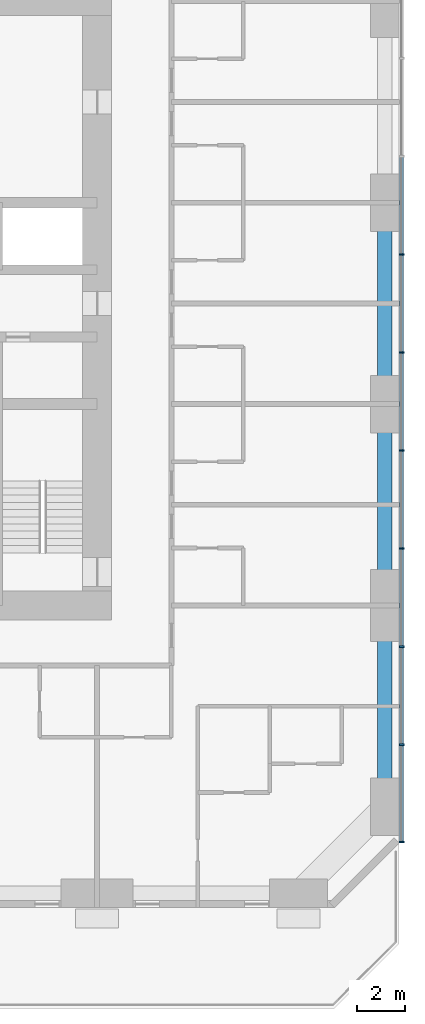
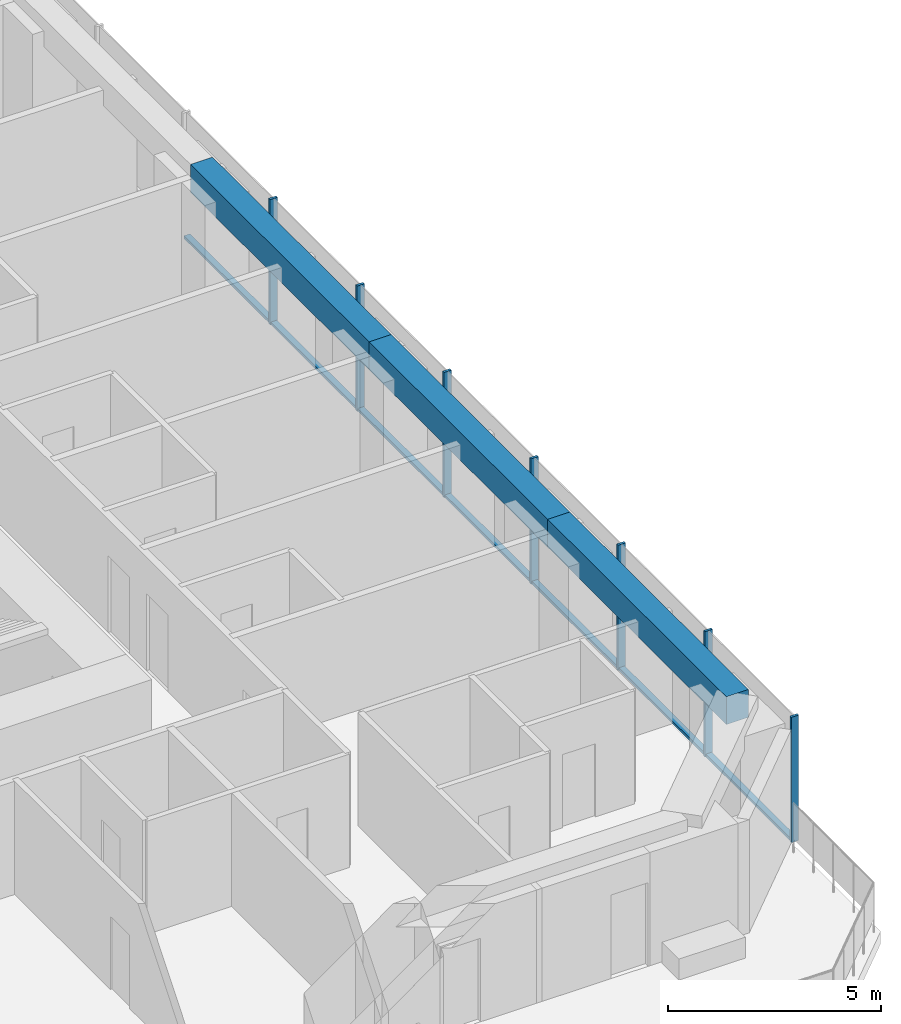
# One storey, part 2 of 14: 14 members, 3 beams, 1 element without a shape of its own.
"""IFC4 building model written with IfcOpenShell, lengths in metres."""

from ifc_helpers import new_model, si_unit, direction, frame, origin, origin_2d, place, context, subcontext, project, spatial, rectangle, extrude, material, material_profile, profile_set, type_object, element, aggregate, save


model = new_model("IFC4")

# Units and contexts
model_context = context("Model", 3, precision=1e-05, world=origin(), true_north=direction((0.0, 1.0)))
body_context = subcontext(model_context, "Body", "Model", "MODEL_VIEW")
ifc_project = project(units=[si_unit("LENGTHUNIT", "METRE"), si_unit("AREAUNIT", "SQUARE_METRE"), si_unit("VOLUMEUNIT", "CUBIC_METRE"), si_unit("PLANEANGLEUNIT", "RADIAN"), si_unit("MASSUNIT", "GRAM", prefix="KILO")], contexts=[model_context])

# Site, building, storey
site_placement = place(None, origin())
site = spatial("IfcSite", under=ifc_project, at=site_placement, CompositionType="ELEMENT")
building_placement = place(site_placement, origin())
building = spatial("IfcBuilding", under=site, at=building_placement, Name="Dunama Terrace Hotel", CompositionType="ELEMENT")
storey_placement = place(building_placement, frame((0.0, 0.0, 159.0)))
storey = spatial("IfcBuildingStorey", under=building, at=storey_placement, Name="L40", CompositionType="ELEMENT", Elevation=159.0)

# Curtain wall, members
ifc_material_1 = material(Name="Aluminium curtain wall system", Category="aluminium")
curtain_wall_type = type_object("IfcCurtainWallType", Name="Unitised fritted glass wall CW-C", PredefinedType="NOTDEFINED", material=ifc_material_1)
curtain_wall_placement = place(storey_placement, origin())
curtain_wall = element("IfcCurtainWall", 1, at=curtain_wall_placement, inside=storey, type_object=curtain_wall_type, Name="Unitised fritted glass wall CW-C L40", PredefinedType="NOTDEFINED")
ifc_material_2 = material(Name="Aluminium mullion", Category="aluminium")
ifc_material_profile_1 = material_profile(ifc_material_2, rectangle(XDim=0.070068359375, YDim=0.199951171875, at=origin_2d()), Name="CWC MULLION 70X200")
ifc_profile_set_1 = profile_set([ifc_material_profile_1], Name="Aluminium mullion")
member_type_1 = type_object("IfcMemberType", Name="CWC mullion 70x200", PredefinedType="MULLION", material=ifc_profile_set_1)
member_1_placement = place(storey_placement, frame((54.699951171875, 6.93505859375, 0.0), z_axis=(0.0, 0.0, 1.0), x_axis=(0.0, 1.0, 0.0)))
member_1 = element("IfcMember", 2, at=member_1_placement, type_object=member_type_1, Name="CWC mullion", PredefinedType="MULLION", context=body_context, shape_type="SweptSolid", body=[
    extrude(rectangle(XDim=0.070068359375, YDim=0.199951171875, at=origin_2d()), origin(), (0.0, 0.0, 1.0), 3.60009765625),
])
member_2_placement = place(storey_placement, frame((54.699951171875, 10.990966796875, 0.0), z_axis=(0.0, 0.0, 1.0), x_axis=(0.0, 1.0, 0.0)))
member_2 = element("IfcMember", 3, at=member_2_placement, type_object=member_type_1, Name="CWC mullion", PredefinedType="MULLION", context=body_context, shape_type="SweptSolid", body=[
    extrude(rectangle(XDim=0.070068359375, YDim=0.199951171875, at=origin_2d()), origin(), (0.0, 0.0, 1.0), 3.60009765625),
])
member_3_placement = place(storey_placement, frame((54.699951171875, 15.08203125, 0.0), z_axis=(0.0, 0.0, 1.0), x_axis=(0.0, 1.0, 0.0)))
member_3 = element("IfcMember", 4, at=member_3_placement, type_object=member_type_1, Name="CWC mullion", PredefinedType="MULLION", context=body_context, shape_type="SweptSolid", body=[
    extrude(rectangle(XDim=0.070068359375, YDim=0.199951171875, at=origin_2d()), origin(), (0.0, 0.0, 1.0), 3.60009765625),
])
member_4_placement = place(storey_placement, frame((54.699951171875, 19.173095703125, 0.0), z_axis=(0.0, 0.0, 1.0), x_axis=(0.0, 1.0, 0.0)))
member_4 = element("IfcMember", 5, at=member_4_placement, type_object=member_type_1, Name="CWC mullion", PredefinedType="MULLION", context=body_context, shape_type="SweptSolid", body=[
    extrude(rectangle(XDim=0.070068359375, YDim=0.199951171875, at=origin_2d()), origin(), (0.0, 0.0, 1.0), 3.60009765625),
])
member_5_placement = place(storey_placement, frame((54.699951171875, 23.263916015625, 0.0), z_axis=(0.0, 0.0, 1.0), x_axis=(0.0, 1.0, 0.0)))
member_5 = element("IfcMember", 6, at=member_5_placement, type_object=member_type_1, Name="CWC mullion", PredefinedType="MULLION", context=body_context, shape_type="SweptSolid", body=[
    extrude(rectangle(XDim=0.070068359375, YDim=0.199951171875, at=origin_2d()), origin(), (0.0, 0.0, 1.0), 3.60009765625),
])
member_6_placement = place(storey_placement, frame((54.699951171875, 27.35498046875, 0.0), z_axis=(0.0, 0.0, 1.0), x_axis=(0.0, 1.0, 0.0)))
member_6 = element("IfcMember", 7, at=member_6_placement, type_object=member_type_1, Name="CWC mullion", PredefinedType="MULLION", context=body_context, shape_type="SweptSolid", body=[
    extrude(rectangle(XDim=0.070068359375, YDim=0.199951171875, at=origin_2d()), origin(), (0.0, 0.0, 1.0), 3.60009765625),
])
member_7_placement = place(storey_placement, frame((54.699951171875, 31.445068359375, 0.0), z_axis=(0.0, 0.0, 1.0), x_axis=(0.0, 1.0, 0.0)))
member_7 = element("IfcMember", 8, at=member_7_placement, type_object=member_type_1, Name="CWC mullion", PredefinedType="MULLION", context=body_context, shape_type="SweptSolid", body=[
    extrude(rectangle(XDim=0.070068359375, YDim=0.199951171875, at=origin_2d()), origin(), (0.0, 0.0, 1.0), 3.60009765625),
])
ifc_material_3 = material(Name="Aluminium transom", Category="aluminium")
ifc_material_profile_2 = material_profile(ifc_material_3, rectangle(XDim=0.159912109375, YDim=0.080078125, at=origin_2d()), Name="CWC TRANSOM 160X80")
ifc_profile_set_2 = profile_set([ifc_material_profile_2], Name="Aluminium transom")
member_type_2 = type_object("IfcMemberType", Name="CWC transom 160x80", PredefinedType="USERDEFINED", material=ifc_profile_set_2)
member_8_placement = place(storey_placement, frame((54.699951171875, 6.969970703125, 0.0400390625), z_axis=(0.0, 1.0, 0.0), x_axis=(-1.0, 0.0, 0.0)))
member_8 = element("IfcMember", 9, at=member_8_placement, type_object=member_type_2, Name="CWC transom", ObjectType="TRANSOM", PredefinedType="USERDEFINED", context=body_context, shape_type="SweptSolid", body=[
    extrude(rectangle(XDim=0.159912109375, YDim=0.080078125, at=origin_2d()), origin(), (0.0, 0.0, 1.0), 3.986083984375),
])
member_9_placement = place(storey_placement, frame((54.699951171875, 11.02587890625, 0.0400390625), z_axis=(0.0, 1.0, 0.0), x_axis=(-1.0, 0.0, 0.0)))
member_9 = element("IfcMember", 10, at=member_9_placement, type_object=member_type_2, Name="CWC transom", ObjectType="TRANSOM", PredefinedType="USERDEFINED", context=body_context, shape_type="SweptSolid", body=[
    extrude(rectangle(XDim=0.159912109375, YDim=0.080078125, at=origin_2d()), origin(), (0.0, 0.0, 1.0), 4.021240234375),
])
member_10_placement = place(storey_placement, frame((54.699951171875, 15.116943359375, 0.0400390625), z_axis=(0.0, 1.0, 0.0), x_axis=(-1.0, 0.0, 0.0)))
member_10 = element("IfcMember", 11, at=member_10_placement, type_object=member_type_2, Name="CWC transom", ObjectType="TRANSOM", PredefinedType="USERDEFINED", context=body_context, shape_type="SweptSolid", body=[
    extrude(rectangle(XDim=0.159912109375, YDim=0.080078125, at=origin_2d()), origin(), (0.0, 0.0, 1.0), 4.02099609375),
])
member_11_placement = place(storey_placement, frame((54.699951171875, 19.2080078125, 0.0400390625), z_axis=(0.0, 1.0, 0.0), x_axis=(-1.0, 0.0, 0.0)))
member_11 = element("IfcMember", 12, at=member_11_placement, type_object=member_type_2, Name="CWC transom", ObjectType="TRANSOM", PredefinedType="USERDEFINED", context=body_context, shape_type="SweptSolid", body=[
    extrude(rectangle(XDim=0.159912109375, YDim=0.080078125, at=origin_2d()), origin(), (0.0, 0.0, 1.0), 4.02099609375),
])
member_12_placement = place(storey_placement, frame((54.699951171875, 23.299072265625, 0.0400390625), z_axis=(0.0, 1.0, 0.0), x_axis=(-1.0, 0.0, 0.0)))
member_12 = element("IfcMember", 13, at=member_12_placement, type_object=member_type_2, Name="CWC transom", ObjectType="TRANSOM", PredefinedType="USERDEFINED", context=body_context, shape_type="SweptSolid", body=[
    extrude(rectangle(XDim=0.159912109375, YDim=0.080078125, at=origin_2d()), origin(), (0.0, 0.0, 1.0), 4.02099609375),
])
member_13_placement = place(storey_placement, frame((54.699951171875, 27.389892578125, 0.0400390625), z_axis=(0.0, 1.0, 0.0), x_axis=(-1.0, 0.0, 0.0)))
member_13 = element("IfcMember", 14, at=member_13_placement, type_object=member_type_2, Name="CWC transom", ObjectType="TRANSOM", PredefinedType="USERDEFINED", context=body_context, shape_type="SweptSolid", body=[
    extrude(rectangle(XDim=0.159912109375, YDim=0.080078125, at=origin_2d()), origin(), (0.0, 0.0, 1.0), 4.02001953125),
])
member_14_placement = place(storey_placement, frame((54.699951171875, 31.47998046875, 0.0400390625), z_axis=(0.0, 1.0, 0.0), x_axis=(-1.0, 0.0, 0.0)))
member_14 = element("IfcMember", 15, at=member_14_placement, type_object=member_type_2, Name="CWC transom", ObjectType="TRANSOM", PredefinedType="USERDEFINED", context=body_context, shape_type="SweptSolid", body=[
    extrude(rectangle(XDim=0.159912109375, YDim=0.080078125, at=origin_2d()), origin(), (0.0, 0.0, 1.0), 4.02099609375),
])
aggregate(curtain_wall, [member_1, member_2, member_3, member_4, member_5, member_6, member_7, member_8, member_9, member_10, member_11, member_12, member_13, member_14])

# Beams
ifc_material_4 = material(Name="Concrete C40/50", Category="concrete")
ifc_material_profile_3 = material_profile(ifc_material_4, rectangle(XDim=0.60009765625, YDim=0.800048828125, at=origin_2d()), Name="RC 600x800")
ifc_profile_set_3 = profile_set([ifc_material_profile_3], Name="Concrete C40/50")
beam_type = type_object("IfcBeamType", Name="Edge beam RC 600x800", PredefinedType="SPANDREL", material=ifc_profile_set_3)
beam_1_placement = place(storey_placement, frame((54.0, 8.39990234375, 3.199951171875), z_axis=(0.0, 1.0, 0.0), x_axis=(-1.0, 0.0, 0.0)))
element("IfcBeam", 16, at=beam_1_placement, inside=storey, type_object=beam_type, Name="Edge beam under L41", PredefinedType="SPANDREL", context=body_context, shape_type="SweptSolid", body=[
    extrude(rectangle(XDim=0.60009765625, YDim=0.800048828125, at=origin_2d()), origin(), (0.0, 0.0, 1.0), 8.400146484375),
])
beam_2_placement = place(storey_placement, frame((54.0, 16.800048828125, 3.199951171875), z_axis=(0.0, 1.0, 0.0), x_axis=(-1.0, 0.0, 0.0)))
element("IfcBeam", 17, at=beam_2_placement, inside=storey, type_object=beam_type, Name="Edge beam under L41", PredefinedType="SPANDREL", context=body_context, shape_type="SweptSolid", body=[
    extrude(rectangle(XDim=0.60009765625, YDim=0.800048828125, at=origin_2d()), origin(), (0.0, 0.0, 1.0), 8.39990234375),
])
beam_3_placement = place(storey_placement, frame((54.0, 25.199951171875, 3.199951171875), z_axis=(0.0, 1.0, 0.0), x_axis=(-1.0, 0.0, 0.0)))
element("IfcBeam", 18, at=beam_3_placement, inside=storey, type_object=beam_type, Name="Edge beam under L41", PredefinedType="SPANDREL", context=body_context, shape_type="SweptSolid", body=[
    extrude(rectangle(XDim=0.60009765625, YDim=0.800048828125, at=origin_2d()), origin(), (0.0, 0.0, 1.0), 8.400146484375),
])

save(model, "model.ifc")
